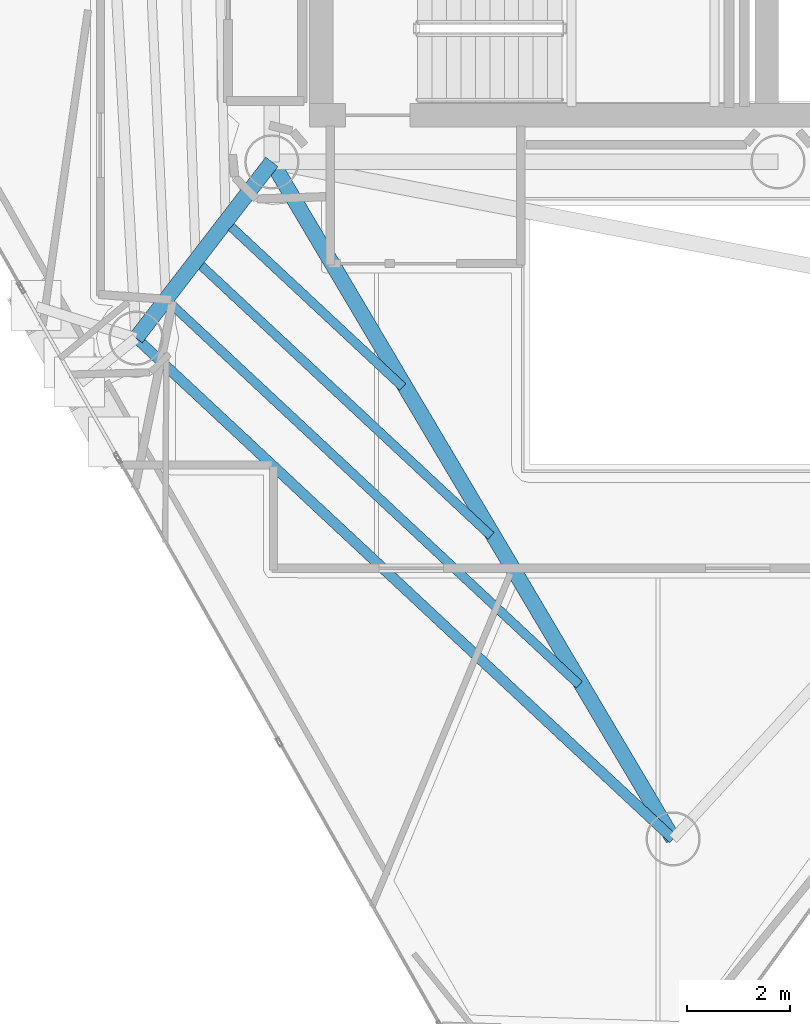
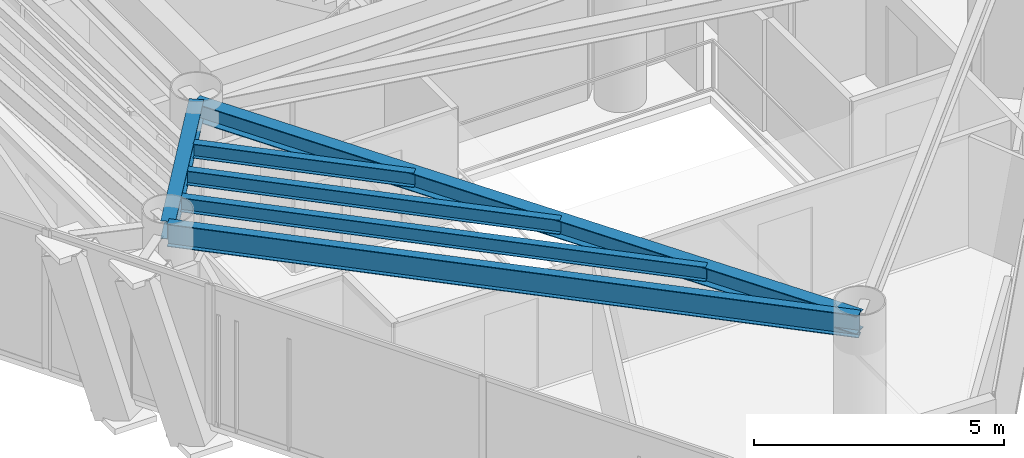
# One storey, part 3 of 21: 6 beams.
"""IFC4 building model written with IfcOpenShell, lengths in metres."""

from ifc_helpers import new_model, si_unit, direction, frame, origin, origin_2d, place, context, subcontext, project, spatial, i_section, extrude, material, material_profile, profile_set, type_object, element, save


model = new_model("IFC4")

# Units and contexts
model_context = context("Model", 3, precision=1e-05, world=origin(), true_north=direction((0.0, 1.0)))
body_context = subcontext(model_context, "Body", "Model", "MODEL_VIEW")
ifc_project = project(units=[si_unit("LENGTHUNIT", "METRE"), si_unit("AREAUNIT", "SQUARE_METRE"), si_unit("VOLUMEUNIT", "CUBIC_METRE"), si_unit("PLANEANGLEUNIT", "RADIAN"), si_unit("MASSUNIT", "GRAM", prefix="KILO")], contexts=[model_context])

# Site, building, storey
site_placement = place(None, origin())
site = spatial("IfcSite", under=ifc_project, at=site_placement, CompositionType="ELEMENT")
building_placement = place(site_placement, origin())
building = spatial("IfcBuilding", under=site, at=building_placement, Name="Qianvela Tower", CompositionType="ELEMENT")
storey_placement = place(building_placement, frame((0.0, 0.0, 272.300048828125)))
storey = spatial("IfcBuildingStorey", under=building, at=storey_placement, Name="L70", CompositionType="ELEMENT", Elevation=272.300048828125)

# Beams
ifc_material_1 = material(Name="Steel Q355B", Category="steel")
ifc_material_profile_1 = material_profile(ifc_material_1, i_section(OverallWidth=0.300048828125, OverallDepth=0.43994140625, WebThickness=0.010986328125, FlangeThickness=0.01806640625, at=origin_2d()), Name="HM440x300x11x18")
ifc_profile_set_1 = profile_set([ifc_material_profile_1], Name="Steel Q355B")
beam_type_1 = type_object("IfcBeamType", Name="BM-HM440-COLL", PredefinedType="BEAM", material=ifc_profile_set_1)
beam_1_placement = place(storey_placement, frame((28.60009765625, 23.85009765625, 3.177978515625), z_axis=(-0.610107831638, -0.792318391667, 0.0), x_axis=(0.792318391667, -0.610107831638, 0.0)))
element("IfcBeam", 1, at=beam_1_placement, inside=storey, type_object=beam_type_1, Name="L70 Radial Primary Floor Girder 4", PredefinedType="BEAM", context=body_context, shape_type="SweptSolid", body=[
    extrude(i_section(OverallWidth=0.300048828125, OverallDepth=0.43994140625, WebThickness=0.010986328125, FlangeThickness=0.01806640625, at=origin_2d()), origin(), (0.0, 0.0, 1.0), 4.3076171875),
])
beam_2_placement = place(storey_placement, frame((28.60009765625, 23.85009765625, 3.177978515625), z_axis=(0.509851140096, -0.860262643001, 0.0), x_axis=(0.860262643001, 0.509851140096, 0.0)))
element("IfcBeam", 2, at=beam_2_placement, inside=storey, type_object=beam_type_1, Name="L70 Radial Primary Floor Girder 5", PredefinedType="BEAM", context=body_context, shape_type="SweptSolid", body=[
    extrude(i_section(OverallWidth=0.300048828125, OverallDepth=0.43994140625, WebThickness=0.010986328125, FlangeThickness=0.01806640625, at=origin_2d()), origin(), (0.0, 0.0, 1.0), 15.2373046875),
])
ifc_material_2 = material(Name="Steel Q355B", Category="steel")
ifc_material_profile_2 = material_profile(ifc_material_2, i_section(OverallWidth=0.175048828125, OverallDepth=0.35009765625, WebThickness=0.007080078125, FlangeThickness=0.010986328125, at=origin_2d()), Name="HN350x175x7x11")
ifc_profile_set_2 = profile_set([ifc_material_profile_2], Name="Steel Q355B")
beam_type_2 = type_object("IfcBeamType", Name="BM-HN350-JOIST", PredefinedType="JOIST", material=ifc_profile_set_2)
beam_3_placement = place(storey_placement, frame((27.813232421875, 22.590087890625, 3.222900390625), z_axis=(0.731376968526, -0.681973408506, 0.0), x_axis=(0.681973408506, 0.731376968526, 0.0)))
element("IfcBeam", 3, at=beam_3_placement, inside=storey, type_object=beam_type_2, Name="L70 Secondary Composite Floor Joist 4.1", PredefinedType="JOIST", context=body_context, shape_type="SweptSolid", body=[
    extrude(i_section(OverallWidth=0.175048828125, OverallDepth=0.35009765625, WebThickness=0.007080078125, FlangeThickness=0.010986328125, at=origin_2d()), origin(), (0.0, 0.0, 1.0), 4.54150390625),
])
beam_4_placement = place(storey_placement, frame((27.235107421875, 21.839111328125, 3.222900390625), z_axis=(0.731379132366, -0.681971087906, 0.0), x_axis=(0.681971087906, 0.731379132366, 0.0)))
element("IfcBeam", 4, at=beam_4_placement, inside=storey, type_object=beam_type_2, Name="L70 Secondary Composite Floor Joist 4.2", PredefinedType="JOIST", context=body_context, shape_type="SweptSolid", body=[
    extrude(i_section(OverallWidth=0.175048828125, OverallDepth=0.35009765625, WebThickness=0.007080078125, FlangeThickness=0.010986328125, at=origin_2d()), origin(), (0.0, 0.0, 1.0), 7.6689453125),
])
beam_5_placement = place(storey_placement, frame((26.656982421875, 21.08837890625, 3.222900390625), z_axis=(0.731358246127, -0.681993486641, 0.0), x_axis=(0.681993486641, 0.731358246127, 0.0)))
element("IfcBeam", 5, at=beam_5_placement, inside=storey, type_object=beam_type_2, Name="L70 Secondary Composite Floor Joist 4.3", PredefinedType="JOIST", context=body_context, shape_type="SweptSolid", body=[
    extrude(i_section(OverallWidth=0.175048828125, OverallDepth=0.35009765625, WebThickness=0.007080078125, FlangeThickness=0.010986328125, at=origin_2d()), origin(), (0.0, 0.0, 1.0), 10.79638671875),
])
ifc_material_3 = material(Name="Steel Q355B", Category="steel")
ifc_material_profile_3 = material_profile(ifc_material_3, i_section(OverallWidth=0.199951171875, OverallDepth=0.550048828125, WebThickness=0.010009765625, FlangeThickness=0.01611328125, at=origin_2d()), Name="HN550x200x10x16")
ifc_profile_set_3 = profile_set([ifc_material_profile_3], Name="Steel Q355B")
beam_type_3 = type_object("IfcBeamType", Name="BM-HN550-GIRD", PredefinedType="BEAM", material=ifc_profile_set_3)
beam_6_placement = place(storey_placement, frame((25.971923828125, 20.43701171875, 3.123046875), z_axis=(0.731363016694, -0.681988370731, 0.0), x_axis=(0.681988370731, 0.731363016694, 0.0)))
element("IfcBeam", 6, at=beam_6_placement, inside=storey, type_object=beam_type_3, Name="L70 Perimeter Ring Spandrel Girder 4", PredefinedType="BEAM", context=body_context, shape_type="SweptSolid", body=[
    extrude(i_section(OverallWidth=0.199951171875, OverallDepth=0.550048828125, WebThickness=0.010009765625, FlangeThickness=0.01611328125, at=origin_2d()), origin(), (0.0, 0.0, 1.0), 14.2158203125),
])

save(model, "model.ifc")
